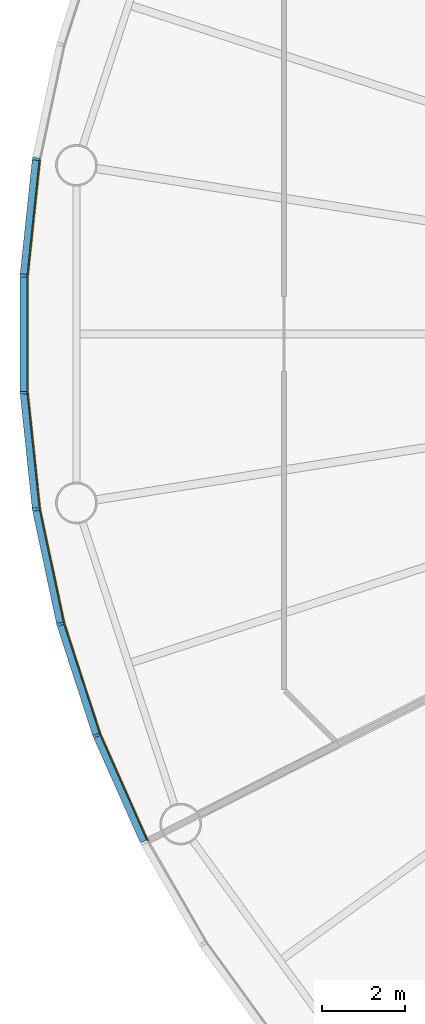
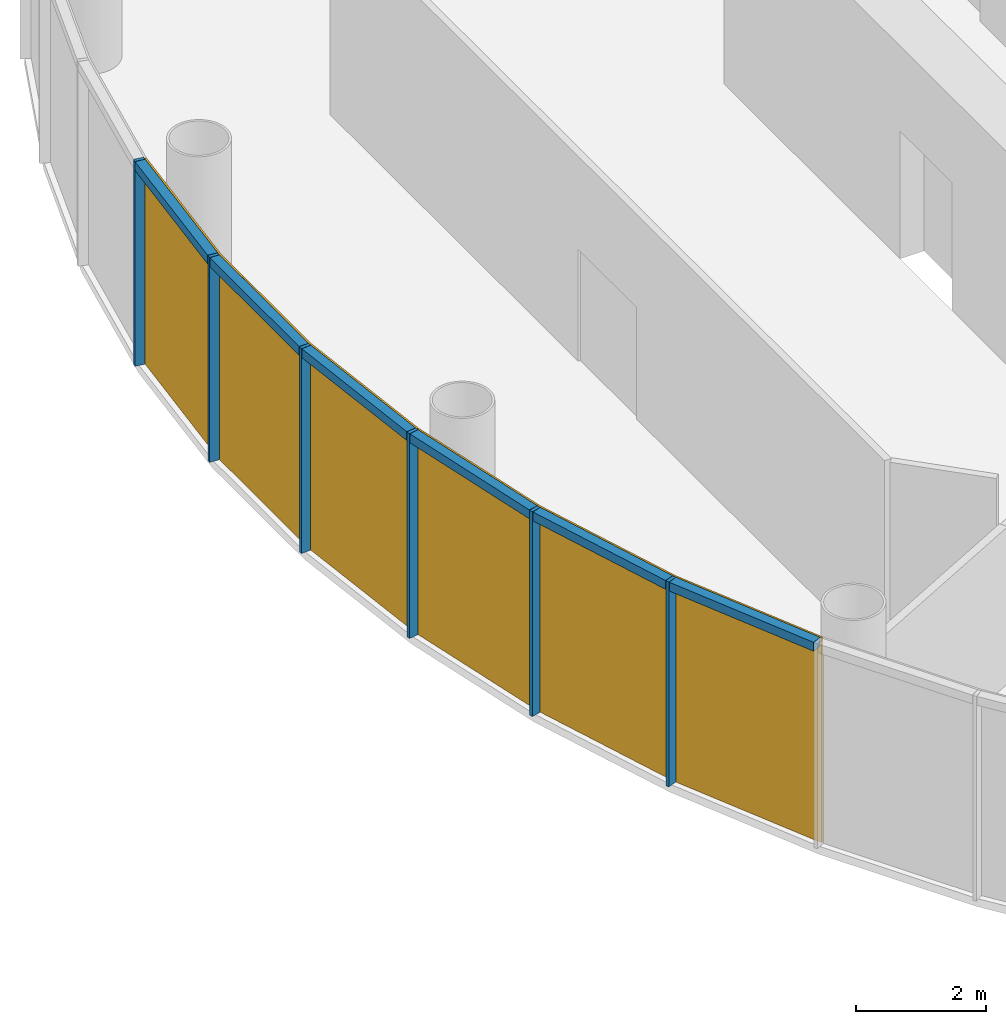
# One storey, part 7 of 12: 12 members, 2 curtain walls.
"""IFC4 building model written with IfcOpenShell, lengths in metres."""

import ifcopenshell
import ifcopenshell.guid

model = None  # the IFC model being written
_history = None  # IfcOwnerHistory: only IFC2X3 demands one
_inside = {}  # id of a spatial element -> (the spatial element, [elements in it])
_under = {}  # id of a project, library or spatial element -> (it, [spatial elements below it])
_declared = {}  # id of a project -> (the project, [libraries it declares])
_typed = {}  # id of a type object -> (the type object, [elements of that type])
_made_of = {}  # id of a material, layer set ... -> (it, [elements and type objects made of it])


def new_model(schema):
    """Start an empty IFC model of exactly this schema.

    Asked for "IFC4X3", IfcOpenShell would pick the latest addendum, in which some entities
    have other attributes; the version numbers below select the first issue.
    IFC2X3 requires an IfcOwnerHistory on every rooted entity: one is made here for all.
    """
    global model, _history
    if schema == "IFC4X3":
        model = ifcopenshell.file(schema_version=(4, 3, 0, 0))
    else:
        model = ifcopenshell.file(schema=schema)
    _inside.clear()
    _under.clear()
    _declared.clear()
    _typed.clear()
    _made_of.clear()
    _history = None
    if model.schema == "IFC2X3":
        org = make("IfcOrganization", Name="unknown")
        user = make(
            "IfcPersonAndOrganization",
            ThePerson=make("IfcPerson", FamilyName="unknown"),
            TheOrganization=org,
        )
        app = make(
            "IfcApplication",
            ApplicationDeveloper=org,
            Version="unknown",
            ApplicationFullName="unknown",
            ApplicationIdentifier="unknown",
        )
        _history = make(
            "IfcOwnerHistory",
            OwningUser=user,
            OwningApplication=app,
            ChangeAction="ADDED",
            CreationDate=0,
        )
    return model


def make(cls, **values):
    """One entity of the class cls with the attributes given. An attribute that is None is left unset."""
    return model.create_entity(
        cls, **{name: value for name, value in values.items() if value is not None}
    )


def rooted(cls, **values):
    """An entity with a GlobalId (a new one), such as an element, a storey or a relation."""
    return make(cls, GlobalId=ifcopenshell.guid.new(), OwnerHistory=_history, **values)


def si_unit(unit_type, name, prefix=None):
    """IfcSIUnit, for example si_unit("LENGTHUNIT", "METRE", prefix="MILLI")."""
    return make("IfcSIUnit", UnitType=unit_type, Prefix=prefix, Name=name)


def assignment(units):
    """IfcUnitAssignment: the units of a project."""
    return None if units is None else make("IfcUnitAssignment", Units=units)


def point(xyz):
    """IfcCartesianPoint."""
    return None if xyz is None else make("IfcCartesianPoint", Coordinates=xyz)


def direction(xyz):
    """IfcDirection."""
    return None if xyz is None else make("IfcDirection", DirectionRatios=xyz)


def frame(location, z_axis=None, x_axis=None):
    """IfcAxis2Placement3D, a coordinate frame: its origin and axes. An axis left out is left unset."""
    return make(
        "IfcAxis2Placement3D",
        Location=point(location),
        Axis=direction(z_axis),
        RefDirection=direction(x_axis),
    )


def frame_2d(location, x_axis=None):
    """IfcAxis2Placement2D, a coordinate frame in the plane: its origin and x axis."""
    return make(
        "IfcAxis2Placement2D", Location=point(location), RefDirection=direction(x_axis)
    )


def origin():
    """The frame at (0, 0, 0) with its axes left unset."""
    return frame((0.0, 0.0, 0.0))


def origin_2d():
    """The frame at (0, 0) in the plane with its x axis left unset."""
    return frame_2d((0.0, 0.0))


def place(relative_to, where):
    """IfcLocalPlacement: puts the frame where relative to a parent placement (None: the world)."""
    return make(
        "IfcLocalPlacement", PlacementRelTo=relative_to, RelativePlacement=where
    )


def context(
    kind, dimensions, precision=None, world=None, true_north=None, identifier=None
):
    """IfcGeometricRepresentationContext, for example the 3D "Model" context."""
    return make(
        "IfcGeometricRepresentationContext",
        ContextIdentifier=identifier,
        ContextType=kind,
        CoordinateSpaceDimension=dimensions,
        Precision=precision,
        WorldCoordinateSystem=world,
        TrueNorth=true_north,
    )


def subcontext(parent, identifier, kind, view, scale=None):
    """IfcGeometricRepresentationSubContext, for example "Body" below "Model"."""
    return make(
        "IfcGeometricRepresentationSubContext",
        ContextIdentifier=identifier,
        ContextType=kind,
        ParentContext=parent,
        TargetScale=scale,
        TargetView=view,
    )


def project(units=None, contexts=None):
    """IfcProject with its units and contexts."""
    return rooted(
        "IfcProject",
        Name="project",
        RepresentationContexts=contexts,
        UnitsInContext=assignment(units),
    )


def spatial(cls, under=None, at=None, **own):
    """A site, building, storey or space (cls), placed at a placement, below another one or the project."""
    s = rooted(cls, ObjectPlacement=at, **own)
    if under is not None:
        _under.setdefault(under.id(), (under, []))[1].append(s)
    return s


def polyline(points):
    """IfcPolyline through the points."""
    return make("IfcPolyline", Points=[point(p) for p in points])


def profile(cls, at=None, kind="AREA", **sizes):
    """A parametric profile (cls). Its sizes go by their IFC names, for example OverallWidth=200.0."""
    return make(cls, ProfileType=kind, Position=at, **sizes)


def rectangle(**sizes):
    """IfcRectangleProfileDef."""
    return profile("IfcRectangleProfileDef", **sizes)


def outline(outer, holes=None, kind="AREA"):
    """IfcArbitraryClosedProfileDef: a profile drawn as a closed curve; with holes, ...WithVoids."""
    if holes is None:
        return make("IfcArbitraryClosedProfileDef", ProfileType=kind, OuterCurve=outer)
    return make(
        "IfcArbitraryProfileDefWithVoids",
        ProfileType=kind,
        OuterCurve=outer,
        InnerCurves=holes,
    )


def extrude(swept, where, along, depth):
    """IfcExtrudedAreaSolid: the profile swept, set in the frame where, extruded along a direction by depth."""
    return make(
        "IfcExtrudedAreaSolid",
        SweptArea=swept,
        Position=where,
        ExtrudedDirection=direction(along),
        Depth=depth,
    )


def shape(context_of_items, identifier, shape_type, items):
    """IfcShapeRepresentation: the items that make up one representation, for example the "Body"."""
    return make(
        "IfcShapeRepresentation",
        ContextOfItems=context_of_items,
        RepresentationIdentifier=identifier,
        RepresentationType=shape_type,
        Items=items,
    )


def material(Name=None, Category=None):
    """IfcMaterial."""
    return make("IfcMaterial", Name=Name, Category=Category)


def layer(
    of_material, thickness, ventilated=None, Name=None, Category=None, Priority=None
):
    """IfcMaterialLayer: one layer of a wall or slab, of a material (None: an air gap)."""
    return make(
        "IfcMaterialLayer",
        Material=of_material,
        LayerThickness=thickness,
        IsVentilated=ventilated,
        Name=Name,
        Category=Category,
        Priority=Priority,
    )


def layer_set(layers, Name=None):
    """IfcMaterialLayerSet."""
    return make("IfcMaterialLayerSet", MaterialLayers=layers, LayerSetName=Name)


def material_profile(
    of_material, cross_section, Name=None, Category=None, Priority=None
):
    """IfcMaterialProfile: a cross section and its material."""
    return make(
        "IfcMaterialProfile",
        Name=Name,
        Material=of_material,
        Profile=cross_section,
        Priority=Priority,
        Category=Category,
    )


def profile_set(profiles, Name=None, composite=None):
    """IfcMaterialProfileSet."""
    return make(
        "IfcMaterialProfileSet",
        Name=Name,
        MaterialProfiles=profiles,
        CompositeProfile=composite,
    )


def made_of(thing, what):
    """Note that an element or type object is made of a material, layer set ...; save() writes the relation."""
    if what is not None:
        _made_of.setdefault(what.id(), (what, []))[1].append(thing)
    return thing


def type_object(cls, material=None, **own):
    """A type object (cls), such as IfcWallType, which elements share."""
    return made_of(rooted(cls, **own), material)


def element(
    cls,
    number,
    at=None,
    inside=None,
    cuts=None,
    type_object=None,
    material=None,
    context=None,
    identifier="Body",
    shape_type=None,
    held_by="IfcProductDefinitionShape",
    body=None,
    shapes=None,
    **own,
):
    """One element of the class cls, such as IfcWall. Its Tag is "e" and its number.

    at: its placement. inside: the storey or other place that contains it. cuts: it is an
    opening in that element (IfcRelVoidsElement). A single representation is given by context,
    identifier, shape_type and body (its items); several are given by shapes. held_by: the class
    of the entity that holds the representations. save() writes the other relations.
    """
    e = rooted(cls, Tag="e%d" % number, ObjectPlacement=at, **own)
    if body is not None:
        shapes = [shape(context, identifier, shape_type, body)]
    if shapes is not None:
        e.Representation = make(held_by, Representations=shapes)
    if inside is not None:
        _inside.setdefault(inside.id(), (inside, []))[1].append(e)
    if cuts is not None:
        rooted(
            "IfcRelVoidsElement", RelatingBuildingElement=cuts, RelatedOpeningElement=e
        )
    if type_object is not None:
        _typed.setdefault(type_object.id(), (type_object, []))[1].append(e)
    return made_of(e, material)


def aggregate(whole, parts):
    """IfcRelAggregates: a whole, such as a stair, and the parts it consists of."""
    return rooted("IfcRelAggregates", RelatingObject=whole, RelatedObjects=parts)


def save(model, path):
    """Write the relations noted so far, then the file.

    IfcRelAggregates (storeys below a building ...), IfcRelContainedInSpatialStructure (elements
    in a storey), IfcRelDefinesByType, IfcRelAssociatesMaterial and IfcRelDeclares: one each for
    every whole, place, type object, material and project.
    """
    for whole, parts in _under.values():
        aggregate(whole, parts)
    for where, things in _inside.values():
        rooted(
            "IfcRelContainedInSpatialStructure",
            RelatedElements=things,
            RelatingStructure=where,
        )
    for kind, things in _typed.values():
        rooted("IfcRelDefinesByType", RelatedObjects=things, RelatingType=kind)
    for what, things in _made_of.values():
        rooted("IfcRelAssociatesMaterial", RelatedObjects=things, RelatingMaterial=what)
    for by, libraries in _declared.values():
        rooted("IfcRelDeclares", RelatingContext=by, RelatedDefinitions=libraries)
    model.write(path)


model = new_model("IFC4")

# Units and contexts
model_context = context("Model", 3, precision=1e-05, world=origin(), true_north=direction((0.0, 1.0)))
body_context = subcontext(model_context, "Body", "Model", "MODEL_VIEW")
ifc_project = project(units=[si_unit("LENGTHUNIT", "METRE"), si_unit("AREAUNIT", "SQUARE_METRE"), si_unit("VOLUMEUNIT", "CUBIC_METRE"), si_unit("PLANEANGLEUNIT", "RADIAN"), si_unit("MASSUNIT", "GRAM", prefix="KILO")], contexts=[model_context])

# Member
ifc_material_1 = material(Name="Anodised aluminium", Category="aluminium")
ifc_material_profile_1 = material_profile(ifc_material_1, rectangle(XDim=0.06005859375, YDim=0.169921875, at=origin_2d()), Name="Mullion 60 x 170 mm anodised aluminium")
ifc_profile_set_1 = profile_set([ifc_material_profile_1], Name="Anodised aluminium")
member_type_1 = type_object("IfcMemberType", Name="Mullion 60 x 170 mm anodised aluminium", PredefinedType="MULLION", material=ifc_profile_set_1)
site_placement = place(None, origin())
building_placement = place(site_placement, origin())
storey_placement = place(building_placement, frame((0.0, 0.0, 222.0)))
member_1_placement = place(storey_placement, frame((63.446044921875, 84.205810546875, 0.0), z_axis=(0.0, 0.0, 1.0), x_axis=(-0.15643446504, -0.987688340595, 0.0)))
member_1 = element("IfcMember", 1, at=member_1_placement, type_object=member_type_1, Name="MULLION L51-27", PredefinedType="MULLION", context=body_context, shape_type="SweptSolid", body=[
    extrude(rectangle(XDim=0.06005859375, YDim=0.169921875, at=origin_2d()), origin(), (0.0, 0.0, 1.0), 3.85009765625),
])

member_2_placement = place(storey_placement, frame((63.15185546875, 81.406982421875, 0.0), z_axis=(0.0, 0.0, 1.0), x_axis=(-0.052335956243, -0.998629534755, 0.0)))
member_2 = element("IfcMember", 2, at=member_2_placement, type_object=member_type_1, Name="MULLION L51-28", PredefinedType="MULLION", context=body_context, shape_type="SweptSolid", body=[
    extrude(rectangle(XDim=0.06005859375, YDim=0.169921875, at=origin_2d()), origin(), (0.0, 0.0, 1.0), 3.85009765625),
])

member_3_placement = place(storey_placement, frame((63.15185546875, 78.593017578125, 0.0), z_axis=(0.0, 0.0, 1.0), x_axis=(0.052335956243, -0.998629534755, 0.0)))
member_3 = element("IfcMember", 3, at=member_3_placement, type_object=member_type_1, Name="MULLION L51-29", PredefinedType="MULLION", context=body_context, shape_type="SweptSolid", body=[
    extrude(rectangle(XDim=0.06005859375, YDim=0.169921875, at=origin_2d()), origin(), (0.0, 0.0, 1.0), 3.85009765625),
])

member_4_placement = place(storey_placement, frame((63.446044921875, 75.794189453125, 0.0), z_axis=(0.0, 0.0, 1.0), x_axis=(0.15643446504, -0.987688340595, 0.0)))
member_4 = element("IfcMember", 4, at=member_4_placement, type_object=member_type_1, Name="MULLION L51-30", PredefinedType="MULLION", context=body_context, shape_type="SweptSolid", body=[
    extrude(rectangle(XDim=0.06005859375, YDim=0.169921875, at=origin_2d()), origin(), (0.0, 0.0, 1.0), 3.85009765625),
])

member_5_placement = place(storey_placement, frame((64.031005859375, 73.041748046875, 0.0), z_axis=(0.0, 0.0, 1.0), x_axis=(0.258819045103, -0.965925826289, 0.0)))
member_5 = element("IfcMember", 5, at=member_5_placement, type_object=member_type_1, Name="MULLION L51-31", PredefinedType="MULLION", context=body_context, shape_type="SweptSolid", body=[
    extrude(rectangle(XDim=0.06005859375, YDim=0.169921875, at=origin_2d()), origin(), (0.0, 0.0, 1.0), 3.85009765625),
])

member_6_placement = place(storey_placement, frame((64.900634765625, 70.365234375, 0.0), z_axis=(0.0, 0.0, 1.0), x_axis=(0.358367949545, -0.933580426497, 0.0)))
member_6 = element("IfcMember", 6, at=member_6_placement, type_object=member_type_1, Name="MULLION L51-32", PredefinedType="MULLION", context=body_context, shape_type="SweptSolid", body=[
    extrude(rectangle(XDim=0.06005859375, YDim=0.169921875, at=origin_2d()), origin(), (0.0, 0.0, 1.0), 3.85009765625),
])

ifc_material_2 = material(Name="Anodised aluminium", Category="aluminium")
ifc_material_profile_2 = material_profile(ifc_material_2, rectangle(XDim=0.169921875, YDim=0.1650390625, at=origin_2d()), Name="Transom 165 x 170 mm anodised aluminium")
ifc_profile_set_2 = profile_set([ifc_material_profile_2], Name="Anodised aluminium")
member_type_2 = type_object("IfcMemberType", Name="Transom 165 x 170 mm anodised aluminium", PredefinedType="USERDEFINED", material=ifc_profile_set_2)
member_7_placement = place(storey_placement, frame((63.4423828125, 84.17138671875, 3.767578125), z_axis=(-0.104592190102, -0.994515195344, 0.0), x_axis=(0.994515195344, -0.104592190102, 0.0)))
member_7 = element("IfcMember", 7, at=member_7_placement, type_object=member_type_2, Name="TRANSOM L51-27", ObjectType="TRANSOM", PredefinedType="USERDEFINED", context=body_context, shape_type="SweptSolid", body=[
    extrude(rectangle(XDim=0.169921875, YDim=0.1650390625, at=origin_2d()), origin(), (0.0, 0.0, 1.0), 2.7451171875),
])

member_8_placement = place(storey_placement, frame((63.151611328125, 81.37255859375, 3.767578125), z_axis=(0.0, -1.0, 0.0), x_axis=(1.0, 0.0, 0.0)))
member_8 = element("IfcMember", 8, at=member_8_placement, type_object=member_type_2, Name="TRANSOM L51-28", ObjectType="TRANSOM", PredefinedType="USERDEFINED", context=body_context, shape_type="SweptSolid", body=[
    extrude(rectangle(XDim=0.169921875, YDim=0.1650390625, at=origin_2d()), origin(), (0.0, 0.0, 1.0), 2.7451171875),
])

member_9_placement = place(storey_placement, frame((63.1552734375, 78.55859375, 3.767578125), z_axis=(0.104592190102, -0.994515195344, 0.0), x_axis=(0.994515195344, 0.104592190102, 0.0)))
member_9 = element("IfcMember", 9, at=member_9_placement, type_object=member_type_2, Name="TRANSOM L51-29", ObjectType="TRANSOM", PredefinedType="USERDEFINED", context=body_context, shape_type="SweptSolid", body=[
    extrude(rectangle(XDim=0.169921875, YDim=0.1650390625, at=origin_2d()), origin(), (0.0, 0.0, 1.0), 2.7451171875),
])

member_10_placement = place(storey_placement, frame((63.453125, 75.760498046875, 3.767578125), z_axis=(0.207937468562, -0.97814212115, 0.0), x_axis=(0.97814212115, 0.207937468562, 0.0)))
member_10 = element("IfcMember", 10, at=member_10_placement, type_object=member_type_2, Name="TRANSOM L51-30", ObjectType="TRANSOM", PredefinedType="USERDEFINED", context=body_context, shape_type="SweptSolid", body=[
    extrude(rectangle(XDim=0.169921875, YDim=0.1650390625, at=origin_2d()), origin(), (0.0, 0.0, 1.0), 2.7451171875),
])

member_11_placement = place(storey_placement, frame((64.04150390625, 73.0087890625, 3.767578125), z_axis=(0.309041831781, -0.951048445774, 0.0), x_axis=(0.951048445774, 0.309041831781, 0.0)))
member_11 = element("IfcMember", 11, at=member_11_placement, type_object=member_type_2, Name="TRANSOM L51-31", ObjectType="TRANSOM", PredefinedType="USERDEFINED", context=body_context, shape_type="SweptSolid", body=[
    extrude(rectangle(XDim=0.169921875, YDim=0.1650390625, at=origin_2d()), origin(), (0.0, 0.0, 1.0), 2.7451171875),
])

member_12_placement = place(storey_placement, frame((64.91455078125, 70.333740234375, 3.767578125), z_axis=(0.406781987391, -0.913525267704, 0.0), x_axis=(0.913525267704, 0.406781987391, 0.0)))
member_12 = element("IfcMember", 12, at=member_12_placement, type_object=member_type_2, Name="TRANSOM L51-32", ObjectType="TRANSOM", PredefinedType="USERDEFINED", context=body_context, shape_type="SweptSolid", body=[
    extrude(rectangle(XDim=0.169921875, YDim=0.1650390625, at=origin_2d()), origin(), (0.0, 0.0, 1.0), 2.7451171875),
])

# Site, building, storey
site = spatial("IfcSite", under=ifc_project, at=site_placement, CompositionType="ELEMENT")
building = spatial("IfcBuilding", under=site, at=building_placement, Name="Entoto Ring Tower", CompositionType="ELEMENT")
storey = spatial("IfcBuildingStorey", under=building, at=storey_placement, Name="L51", CompositionType="ELEMENT", Elevation=222.0)

# Curtain wall
ifc_material_3 = material(Name="Clear low-iron glass", Category="glass")
ifc_layer = layer(ifc_material_3, 0.031982421875)
ifc_layer_set = layer_set([ifc_layer], Name="Clear low-iron glass")
curtain_wall_type = type_object("IfcCurtainWallType", Name="Curtain wall system CW4 glazing 32 mm", PredefinedType="NOTDEFINED", material=ifc_layer_set)
curtain_wall_1_placement = place(storey_placement, origin())
curtain_wall_1 = element("IfcCurtainWall", 13, at=curtain_wall_1_placement, inside=storey, type_object=curtain_wall_type, Name="CW4 L51-10", PredefinedType="NOTDEFINED", context=body_context, shape_type="SweptSolid", body=[
    extrude(outline(polyline([(63.530029296875, 84.1923828125), (63.23681640625, 81.402587890625), (63.23681640625, 78.597412109375), (63.530029296875, 75.8076171875), (63.5615234375, 75.8125), (63.268798828125, 78.59912109375), (63.268798828125, 81.40087890625), (63.5615234375, 84.1875), (63.530029296875, 84.1923828125)])), origin(), (0.0, 0.0, 1.0), 3.85009765625),
])

aggregate(curtain_wall_1, [member_1, member_2, member_3, member_7, member_8, member_9])

curtain_wall_2_placement = place(storey_placement, origin())
curtain_wall_2 = element("IfcCurtainWall", 14, at=curtain_wall_2_placement, inside=storey, type_object=curtain_wall_type, Name="CW4 L51-11", PredefinedType="NOTDEFINED", context=body_context, shape_type="SweptSolid", body=[
    extrude(outline(polyline([(63.530029296875, 75.8076171875), (64.11328125, 73.063720703125), (64.97998046875, 70.395751953125), (66.12109375, 67.8330078125), (66.149658203125, 67.84765625), (65.010009765625, 70.4072265625), (64.14404296875, 73.072021484375), (63.5615234375, 75.8125), (63.530029296875, 75.8076171875)])), origin(), (0.0, 0.0, 1.0), 3.85009765625),
])

aggregate(curtain_wall_2, [member_4, member_5, member_6, member_10, member_11, member_12])

save(model, "model.ifc")
